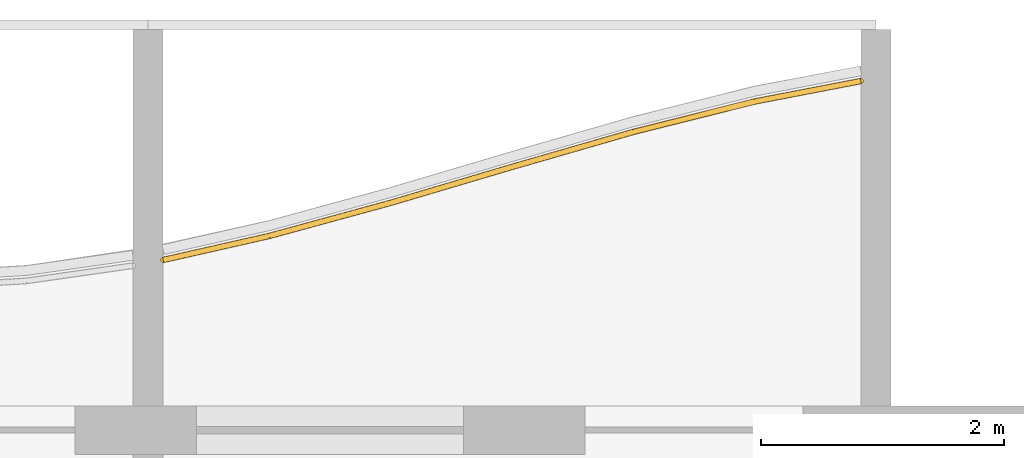
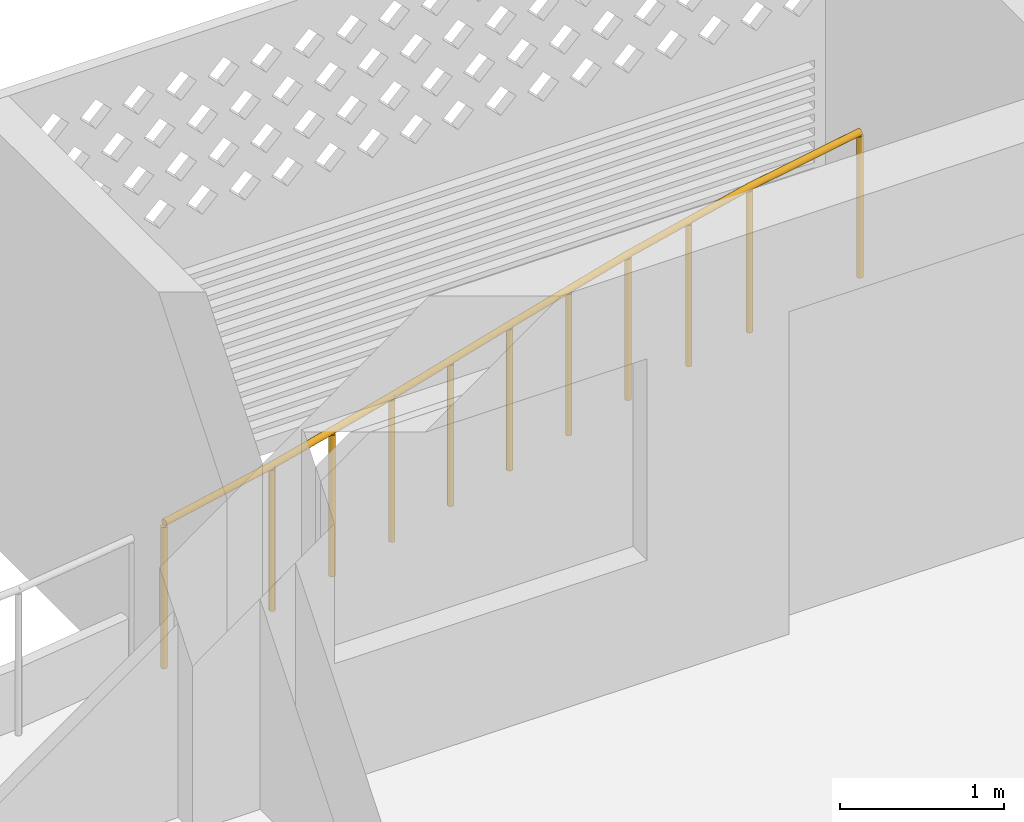
# One storey, part 26 of 27: 1 railing.
"""IFC4 building model written with IfcOpenShell, lengths in metres."""

import ifcopenshell
import ifcopenshell.guid

model = None  # the IFC model being written
_history = None  # IfcOwnerHistory: only IFC2X3 demands one
_inside = {}  # id of a spatial element -> (the spatial element, [elements in it])
_under = {}  # id of a project, library or spatial element -> (it, [spatial elements below it])
_declared = {}  # id of a project -> (the project, [libraries it declares])
_typed = {}  # id of a type object -> (the type object, [elements of that type])
_made_of = {}  # id of a material, layer set ... -> (it, [elements and type objects made of it])


def new_model(schema):
    """Start an empty IFC model of exactly this schema.

    Asked for "IFC4X3", IfcOpenShell would pick the latest addendum, in which some entities
    have other attributes; the version numbers below select the first issue.
    IFC2X3 requires an IfcOwnerHistory on every rooted entity: one is made here for all.
    """
    global model, _history
    if schema == "IFC4X3":
        model = ifcopenshell.file(schema_version=(4, 3, 0, 0))
    else:
        model = ifcopenshell.file(schema=schema)
    _inside.clear()
    _under.clear()
    _declared.clear()
    _typed.clear()
    _made_of.clear()
    _history = None
    if model.schema == "IFC2X3":
        org = make("IfcOrganization", Name="unknown")
        user = make(
            "IfcPersonAndOrganization",
            ThePerson=make("IfcPerson", FamilyName="unknown"),
            TheOrganization=org,
        )
        app = make(
            "IfcApplication",
            ApplicationDeveloper=org,
            Version="unknown",
            ApplicationFullName="unknown",
            ApplicationIdentifier="unknown",
        )
        _history = make(
            "IfcOwnerHistory",
            OwningUser=user,
            OwningApplication=app,
            ChangeAction="ADDED",
            CreationDate=0,
        )
    return model


def make(cls, **values):
    """One entity of the class cls with the attributes given. An attribute that is None is left unset."""
    return model.create_entity(
        cls, **{name: value for name, value in values.items() if value is not None}
    )


def rooted(cls, **values):
    """An entity with a GlobalId (a new one), such as an element, a storey or a relation."""
    return make(cls, GlobalId=ifcopenshell.guid.new(), OwnerHistory=_history, **values)


def si_unit(unit_type, name, prefix=None):
    """IfcSIUnit, for example si_unit("LENGTHUNIT", "METRE", prefix="MILLI")."""
    return make("IfcSIUnit", UnitType=unit_type, Prefix=prefix, Name=name)


def assignment(units):
    """IfcUnitAssignment: the units of a project."""
    return None if units is None else make("IfcUnitAssignment", Units=units)


def point(xyz):
    """IfcCartesianPoint."""
    return None if xyz is None else make("IfcCartesianPoint", Coordinates=xyz)


def direction(xyz):
    """IfcDirection."""
    return None if xyz is None else make("IfcDirection", DirectionRatios=xyz)


def frame(location, z_axis=None, x_axis=None):
    """IfcAxis2Placement3D, a coordinate frame: its origin and axes. An axis left out is left unset."""
    return make(
        "IfcAxis2Placement3D",
        Location=point(location),
        Axis=direction(z_axis),
        RefDirection=direction(x_axis),
    )


def frame_2d(location, x_axis=None):
    """IfcAxis2Placement2D, a coordinate frame in the plane: its origin and x axis."""
    return make(
        "IfcAxis2Placement2D", Location=point(location), RefDirection=direction(x_axis)
    )


def origin():
    """The frame at (0, 0, 0) with its axes left unset."""
    return frame((0.0, 0.0, 0.0))


def origin_2d():
    """The frame at (0, 0) in the plane with its x axis left unset."""
    return frame_2d((0.0, 0.0))


def place(relative_to, where):
    """IfcLocalPlacement: puts the frame where relative to a parent placement (None: the world)."""
    return make(
        "IfcLocalPlacement", PlacementRelTo=relative_to, RelativePlacement=where
    )


def context(
    kind, dimensions, precision=None, world=None, true_north=None, identifier=None
):
    """IfcGeometricRepresentationContext, for example the 3D "Model" context."""
    return make(
        "IfcGeometricRepresentationContext",
        ContextIdentifier=identifier,
        ContextType=kind,
        CoordinateSpaceDimension=dimensions,
        Precision=precision,
        WorldCoordinateSystem=world,
        TrueNorth=true_north,
    )


def subcontext(parent, identifier, kind, view, scale=None):
    """IfcGeometricRepresentationSubContext, for example "Body" below "Model"."""
    return make(
        "IfcGeometricRepresentationSubContext",
        ContextIdentifier=identifier,
        ContextType=kind,
        ParentContext=parent,
        TargetScale=scale,
        TargetView=view,
    )


def project(units=None, contexts=None):
    """IfcProject with its units and contexts."""
    return rooted(
        "IfcProject",
        Name="project",
        RepresentationContexts=contexts,
        UnitsInContext=assignment(units),
    )


def spatial(cls, under=None, at=None, **own):
    """A site, building, storey or space (cls), placed at a placement, below another one or the project."""
    s = rooted(cls, ObjectPlacement=at, **own)
    if under is not None:
        _under.setdefault(under.id(), (under, []))[1].append(s)
    return s


def profile(cls, at=None, kind="AREA", **sizes):
    """A parametric profile (cls). Its sizes go by their IFC names, for example OverallWidth=200.0."""
    return make(cls, ProfileType=kind, Position=at, **sizes)


def circle(**sizes):
    """IfcCircleProfileDef."""
    return profile("IfcCircleProfileDef", **sizes)


def extrude(swept, where, along, depth):
    """IfcExtrudedAreaSolid: the profile swept, set in the frame where, extruded along a direction by depth."""
    return make(
        "IfcExtrudedAreaSolid",
        SweptArea=swept,
        Position=where,
        ExtrudedDirection=direction(along),
        Depth=depth,
    )


def shape(context_of_items, identifier, shape_type, items):
    """IfcShapeRepresentation: the items that make up one representation, for example the "Body"."""
    return make(
        "IfcShapeRepresentation",
        ContextOfItems=context_of_items,
        RepresentationIdentifier=identifier,
        RepresentationType=shape_type,
        Items=items,
    )


def material(Name=None, Category=None):
    """IfcMaterial."""
    return make("IfcMaterial", Name=Name, Category=Category)


def made_of(thing, what):
    """Note that an element or type object is made of a material, layer set ...; save() writes the relation."""
    if what is not None:
        _made_of.setdefault(what.id(), (what, []))[1].append(thing)
    return thing


def type_object(cls, material=None, **own):
    """A type object (cls), such as IfcWallType, which elements share."""
    return made_of(rooted(cls, **own), material)


def element(
    cls,
    number,
    at=None,
    inside=None,
    cuts=None,
    type_object=None,
    material=None,
    context=None,
    identifier="Body",
    shape_type=None,
    held_by="IfcProductDefinitionShape",
    body=None,
    shapes=None,
    **own,
):
    """One element of the class cls, such as IfcWall. Its Tag is "e" and its number.

    at: its placement. inside: the storey or other place that contains it. cuts: it is an
    opening in that element (IfcRelVoidsElement). A single representation is given by context,
    identifier, shape_type and body (its items); several are given by shapes. held_by: the class
    of the entity that holds the representations. save() writes the other relations.
    """
    e = rooted(cls, Tag="e%d" % number, ObjectPlacement=at, **own)
    if body is not None:
        shapes = [shape(context, identifier, shape_type, body)]
    if shapes is not None:
        e.Representation = make(held_by, Representations=shapes)
    if inside is not None:
        _inside.setdefault(inside.id(), (inside, []))[1].append(e)
    if cuts is not None:
        rooted(
            "IfcRelVoidsElement", RelatingBuildingElement=cuts, RelatedOpeningElement=e
        )
    if type_object is not None:
        _typed.setdefault(type_object.id(), (type_object, []))[1].append(e)
    return made_of(e, material)


def aggregate(whole, parts):
    """IfcRelAggregates: a whole, such as a stair, and the parts it consists of."""
    return rooted("IfcRelAggregates", RelatingObject=whole, RelatedObjects=parts)


def save(model, path):
    """Write the relations noted so far, then the file.

    IfcRelAggregates (storeys below a building ...), IfcRelContainedInSpatialStructure (elements
    in a storey), IfcRelDefinesByType, IfcRelAssociatesMaterial and IfcRelDeclares: one each for
    every whole, place, type object, material and project.
    """
    for whole, parts in _under.values():
        aggregate(whole, parts)
    for where, things in _inside.values():
        rooted(
            "IfcRelContainedInSpatialStructure",
            RelatedElements=things,
            RelatingStructure=where,
        )
    for kind, things in _typed.values():
        rooted("IfcRelDefinesByType", RelatedObjects=things, RelatingType=kind)
    for what, things in _made_of.values():
        rooted("IfcRelAssociatesMaterial", RelatedObjects=things, RelatingMaterial=what)
    for by, libraries in _declared.values():
        rooted("IfcRelDeclares", RelatingContext=by, RelatedDefinitions=libraries)
    model.write(path)


model = new_model("IFC4")

# Units and contexts
model_context = context("Model", 3, precision=1e-05, world=origin(), true_north=direction((0.0, 1.0)))
body_context = subcontext(model_context, "Body", "Model", "MODEL_VIEW")
ifc_project = project(units=[si_unit("LENGTHUNIT", "METRE"), si_unit("AREAUNIT", "SQUARE_METRE"), si_unit("VOLUMEUNIT", "CUBIC_METRE"), si_unit("PLANEANGLEUNIT", "RADIAN"), si_unit("MASSUNIT", "GRAM", prefix="KILO")], contexts=[model_context])

# Site, building, storey
site_placement = place(None, origin())
site = spatial("IfcSite", under=ifc_project, at=site_placement, CompositionType="ELEMENT")
building_placement = place(site_placement, origin())
building = spatial("IfcBuilding", under=site, at=building_placement, Name="Poui Terraces", CompositionType="ELEMENT")
storey_placement = place(building_placement, frame((0.0, 0.0, 191.699951171875)))
storey = spatial("IfcBuildingStorey", under=building, at=storey_placement, Name="L53", CompositionType="ELEMENT", Elevation=191.699951171875)

# Railing
ifc_material = material(Name="Painted steel fretwork", Category="steel")
railing_type = type_object("IfcRailingType", Name="BALCONY GUARD 1100", PredefinedType="GUARDRAIL", material=ifc_material)
railing_placement = place(storey_placement, frame((72.125, 42.6025390625, 0.0)))
element("IfcRailing", 1, at=railing_placement, inside=storey, type_object=railing_type, Name="BALCONY GUARD", PredefinedType="GUARDRAIL", context=body_context, shape_type="SweptSolid", body=[
    extrude(circle(Radius=0.02392578125, at=origin_2d()), frame((0.0, 0.0, 1.076171875), z_axis=(0.975340938218, 0.220703543777, 0.0), x_axis=(-0.220703543777, 0.975340938218, 0.0)), (0.0, 0.0, 1.0), 0.897216796875),
    extrude(circle(Radius=0.02392578125, at=origin_2d()), frame((0.875, 0.197998046875, 1.076171875), z_axis=(0.964709448785, 0.263316690367, 0.0), x_axis=(-0.263316690367, 0.964709448785, 0.0)), (0.0, 0.0, 1.0), 1.03662109375),
    extrude(circle(Radius=0.02392578125, at=origin_2d()), frame((1.875, 0.470947265625, 1.076171875), z_axis=(0.958901964879, 0.283737593123, 0.0), x_axis=(-0.283737593123, 0.958901964879, 0.0)), (0.0, 0.0, 1.0), 1.04296875),
    extrude(circle(Radius=0.02392578125, at=origin_2d()), frame((2.875, 0.766845703125, 1.076171875), z_axis=(0.960857222001, 0.277044037887, 0.0), x_axis=(-0.277044037887, 0.960857222001, 0.0)), (0.0, 0.0, 1.0), 1.040771484375),
    extrude(circle(Radius=0.02392578125, at=origin_2d()), frame((3.875, 1.05517578125, 1.076171875), z_axis=(0.969975109493, 0.243204208362, 0.0), x_axis=(-0.243204208362, 0.969975109493, 0.0)), (0.0, 0.0, 1.0), 1.031005859375),
    extrude(circle(Radius=0.02392578125, at=origin_2d()), frame((4.875, 1.305908203125, 1.076171875), z_axis=(0.981967340867, 0.189050632031, 0.0), x_axis=(-0.189050632031, 0.981967340867, 0.0)), (0.0, 0.0, 1.0), 0.89111328125),
    extrude(circle(Radius=0.02099609375, at=origin_2d()), origin(), (0.0, 0.0, 1.0), 1.052001953125),
    extrude(circle(Radius=0.02099609375, at=origin_2d()), frame((0.875, 0.197998046875, 0.0)), (0.0, 0.0, 1.0), 1.052001953125),
    extrude(circle(Radius=0.02099609375, at=origin_2d()), frame((1.375, 0.33447265625, 0.0)), (0.0, 0.0, 1.0), 1.052001953125),
    extrude(circle(Radius=0.02099609375, at=origin_2d()), frame((1.875, 0.470947265625, 0.0)), (0.0, 0.0, 1.0), 1.052001953125),
    extrude(circle(Radius=0.02099609375, at=origin_2d()), frame((2.375, 0.618896484375, 0.0)), (0.0, 0.0, 1.0), 1.052001953125),
    extrude(circle(Radius=0.02099609375, at=origin_2d()), frame((2.875, 0.766845703125, 0.0)), (0.0, 0.0, 1.0), 1.052001953125),
    extrude(circle(Radius=0.02099609375, at=origin_2d()), frame((3.375, 0.9111328125, 0.0)), (0.0, 0.0, 1.0), 1.052001953125),
    extrude(circle(Radius=0.02099609375, at=origin_2d()), frame((3.875, 1.05517578125, 0.0)), (0.0, 0.0, 1.0), 1.052001953125),
    extrude(circle(Radius=0.02099609375, at=origin_2d()), frame((4.375, 1.1806640625, 0.0)), (0.0, 0.0, 1.0), 1.052001953125),
    extrude(circle(Radius=0.02099609375, at=origin_2d()), frame((4.875, 1.305908203125, 0.0)), (0.0, 0.0, 1.0), 1.052001953125),
    extrude(circle(Radius=0.02099609375, at=origin_2d()), frame((5.75, 1.474365234375, 0.0)), (0.0, 0.0, 1.0), 1.052001953125),
])

save(model, "model.ifc")
